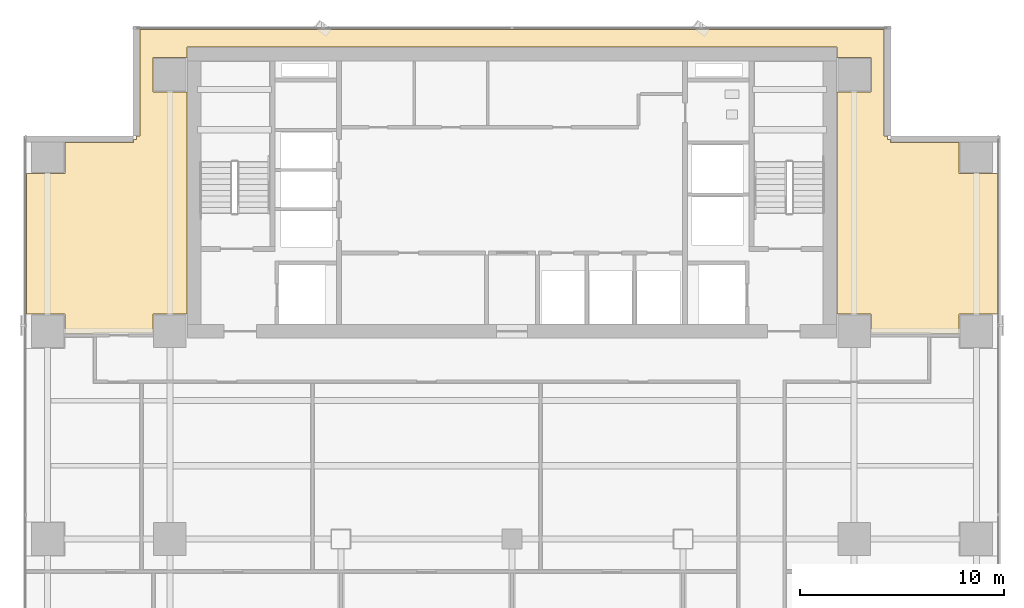
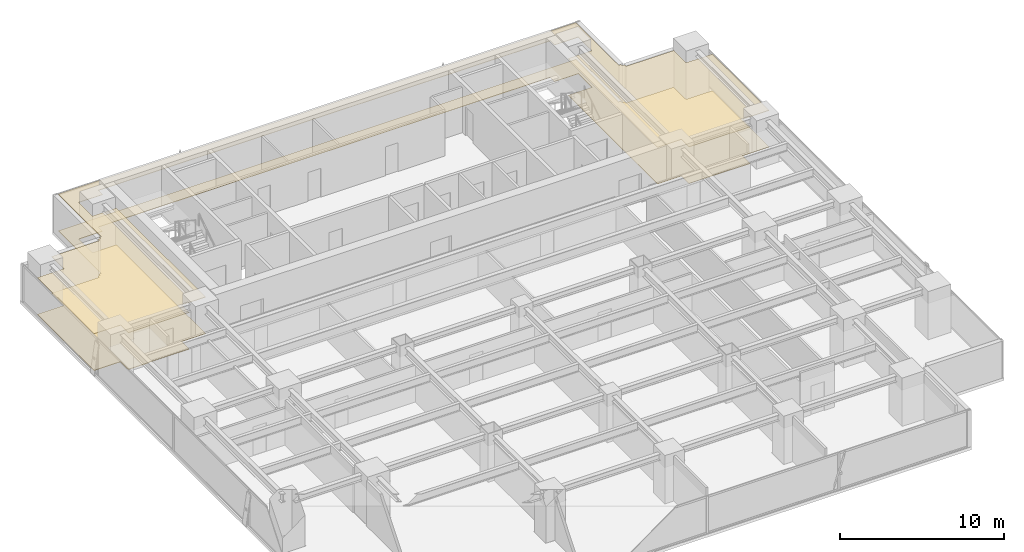
# One storey, part 26 of 28: 2 coverings.
"""IFC4 building model written with IfcOpenShell, lengths in metres."""

from ifc_helpers import new_model, si_unit, direction, frame, origin, place, context, subcontext, project, spatial, polyline, outline, extrude, material, layer, layer_set, type_object, element, save


model = new_model("IFC4")

# Units and contexts
model_context = context("Model", 3, precision=1e-05, world=origin(), true_north=direction((0.0, 1.0)))
body_context = subcontext(model_context, "Body", "Model", "MODEL_VIEW")
ifc_project = project(units=[si_unit("LENGTHUNIT", "METRE"), si_unit("AREAUNIT", "SQUARE_METRE"), si_unit("VOLUMEUNIT", "CUBIC_METRE"), si_unit("PLANEANGLEUNIT", "RADIAN"), si_unit("MASSUNIT", "GRAM", prefix="KILO")], contexts=[model_context])

# Site, building, storey
site_placement = place(None, origin())
site = spatial("IfcSite", under=ifc_project, at=site_placement, CompositionType="ELEMENT")
building_placement = place(site_placement, origin())
building = spatial("IfcBuilding", under=site, at=building_placement, Name="Sumidabori Civic Tower", CompositionType="ELEMENT")
storey_placement = place(building_placement, frame((0.0, 0.0, 153.199951171875)))
storey = spatial("IfcBuildingStorey", under=building, at=storey_placement, Name="L39", CompositionType="ELEMENT", Elevation=153.199951171875)

# Coverings
ifc_material_1 = material(Name="Acoustic Mineral Gypsum Ceiling Tile")
ifc_layer_1 = layer(ifc_material_1, 0.034912109375, Name="Acoustic Mineral Gypsum Ceiling Tile")
ifc_layer_set_1 = layer_set([ifc_layer_1], Name="Acoustic Mineral Gypsum Ceiling Tile")
covering_type_1 = type_object("IfcCoveringType", Name="CV-CEIL-AC1", PredefinedType="CEILING", material=ifc_layer_set_1)
covering_1_placement = place(storey_placement, frame((0.0, 0.0, 2.72998046875)))
element("IfcCovering", 1, at=covering_1_placement, inside=storey, type_object=covering_type_1, Name="Room Acoustic Ceiling L39-01", PredefinedType="CEILING", context=body_context, shape_type="SweptSolid", body=[
    extrude(outline(polyline([(-20.570068359375, 10.094970703125), (-21.9599609375, 10.094970703125), (-21.9599609375, 11.0400390625), (-23.830078125, 11.0400390625), (-23.830078125, 17.9599609375), (-21.9599609375, 17.9599609375), (-21.9599609375, 19.471923828125), (-18.592041015625, 19.471923828125), (-18.592041015625, 19.6298828125), (-18.429931640625, 19.6298828125), (-18.429931640625, 19.7919921875), (-18.27197265625, 19.7919921875), (-18.27197265625, 25.030029296875), (18.27197265625, 25.030029296875), (18.27197265625, 19.7919921875), (18.429931640625, 19.7919921875), (18.429931640625, 19.6298828125), (18.592041015625, 19.6298828125), (18.592041015625, 19.471923828125), (21.9599609375, 19.471923828125), (21.9599609375, 17.9599609375), (23.830078125, 17.9599609375), (23.830078125, 11.0400390625), (21.9599609375, 11.0400390625), (21.9599609375, 10.094970703125), (20.570068359375, 10.094970703125), (20.570068359375, 10.1201171875), (17.639892578125, 10.1201171875), (17.639892578125, 11.0400390625), (15.952880859375, 11.0400390625), (15.952880859375, 21.9599609375), (17.639892578125, 21.9599609375), (17.639892578125, 23.639892578125), (15.952880859375, 23.639892578125), (15.952880859375, 24.153076171875), (-15.952880859375, 24.153076171875), (-15.952880859375, 23.639892578125), (-17.639892578125, 23.639892578125), (-17.639892578125, 21.9599609375), (-15.952880859375, 21.9599609375), (-15.952880859375, 11.0400390625), (-17.639892578125, 11.0400390625), (-17.639892578125, 10.1201171875), (-20.570068359375, 10.1201171875), (-20.570068359375, 10.094970703125)])), origin(), (0.0, 0.0, 1.0), 0.03515625),
])
ifc_material_2 = material(Name="Honed Terrazzo Tile Flooring")
ifc_layer_2 = layer(ifc_material_2, 0.030029296875, Name="Honed Terrazzo Tile Flooring")
ifc_layer_set_2 = layer_set([ifc_layer_2], Name="Honed Terrazzo Tile Flooring")
covering_type_2 = type_object("IfcCoveringType", Name="CV-FLR-TER", PredefinedType="FLOORING", material=ifc_layer_set_2)
covering_2_placement = place(storey_placement, origin())
element("IfcCovering", 2, at=covering_2_placement, inside=storey, type_object=covering_type_2, Name="Room Terrazzo Floor L39-01", PredefinedType="FLOORING", context=body_context, shape_type="SweptSolid", body=[
    extrude(outline(polyline([(-20.570068359375, 10.094970703125), (-21.9599609375, 10.094970703125), (-21.9599609375, 11.0400390625), (-23.830078125, 11.0400390625), (-23.830078125, 17.9599609375), (-21.9599609375, 17.9599609375), (-21.9599609375, 19.471923828125), (-18.592041015625, 19.471923828125), (-18.592041015625, 19.6298828125), (-18.429931640625, 19.6298828125), (-18.429931640625, 19.7919921875), (-18.27197265625, 19.7919921875), (-18.27197265625, 25.030029296875), (18.27197265625, 25.030029296875), (18.27197265625, 19.7919921875), (18.429931640625, 19.7919921875), (18.429931640625, 19.6298828125), (18.592041015625, 19.6298828125), (18.592041015625, 19.471923828125), (21.9599609375, 19.471923828125), (21.9599609375, 17.9599609375), (23.830078125, 17.9599609375), (23.830078125, 11.0400390625), (21.9599609375, 11.0400390625), (21.9599609375, 10.094970703125), (20.570068359375, 10.094970703125), (20.570068359375, 10.1201171875), (17.639892578125, 10.1201171875), (17.639892578125, 11.0400390625), (15.952880859375, 11.0400390625), (15.952880859375, 21.9599609375), (17.639892578125, 21.9599609375), (17.639892578125, 23.639892578125), (15.952880859375, 23.639892578125), (15.952880859375, 24.153076171875), (-15.952880859375, 24.153076171875), (-15.952880859375, 23.639892578125), (-17.639892578125, 23.639892578125), (-17.639892578125, 21.9599609375), (-15.952880859375, 21.9599609375), (-15.952880859375, 11.0400390625), (-17.639892578125, 11.0400390625), (-17.639892578125, 10.1201171875), (-20.570068359375, 10.1201171875), (-20.570068359375, 10.094970703125)])), origin(), (0.0, 0.0, 1.0), 0.030029296875),
])

save(model, "model.ifc")
